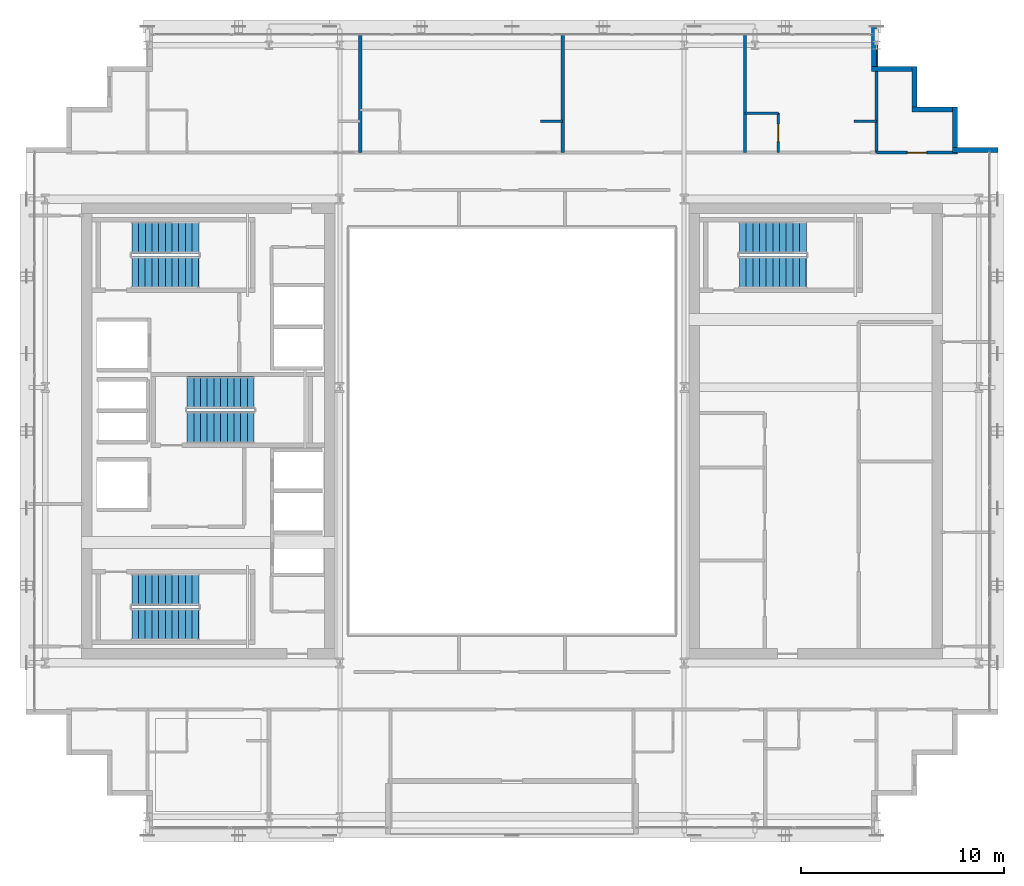
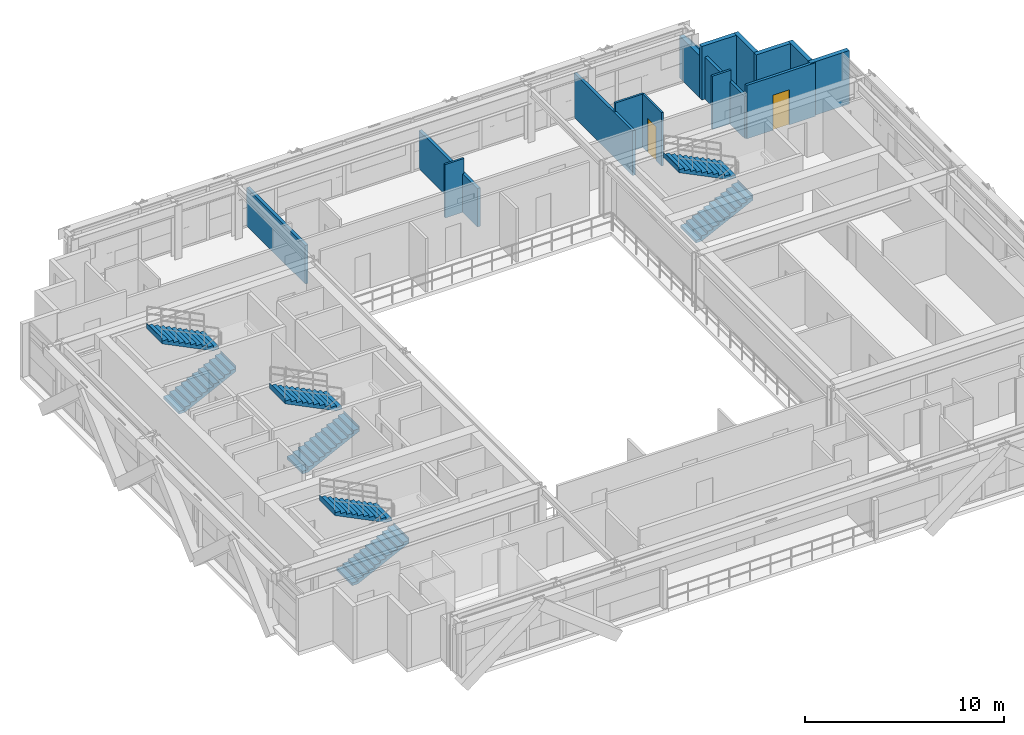
# One storey, part 28 of 32: 15 walls, 8 stair flights, 2 doors, 2 openings, 4 elements without a shape of their own.
"""IFC4 building model written with IfcOpenShell, lengths in metres."""

from ifc_helpers import new_model, si_unit, direction, frame, frame_2d, origin, place, context, subcontext, project, spatial, polyline, rectangle, outline, extrude, source, transform, mapped, material, layer, layer_set, type_object, element, fill, aggregate, save


model = new_model("IFC4")

# Units and contexts
model_context = context("Model", 3, precision=1e-05, world=origin(), true_north=direction((0.0, 1.0)))
body_context = subcontext(model_context, "Body", "Model", "MODEL_VIEW")
ifc_project = project(units=[si_unit("LENGTHUNIT", "METRE"), si_unit("AREAUNIT", "SQUARE_METRE"), si_unit("VOLUMEUNIT", "CUBIC_METRE"), si_unit("PLANEANGLEUNIT", "RADIAN"), si_unit("MASSUNIT", "GRAM", prefix="KILO")], contexts=[model_context])

# Site, building, storey
site_placement = place(None, origin())
site = spatial("IfcSite", under=ifc_project, at=site_placement, CompositionType="ELEMENT")
building_placement = place(site_placement, origin())
building = spatial("IfcBuilding", under=site, at=building_placement, Name="Ocotamira Hotel", CompositionType="ELEMENT")
storey_placement = place(building_placement, frame((0.0, 0.0, 217.199951171875)))
storey = spatial("IfcBuildingStorey", under=building, at=storey_placement, Name="L55", CompositionType="ELEMENT", Elevation=217.199951171875)

# Walls
ifc_material_1 = material(Name="Precast concrete C45/55", Category="concrete")
ifc_layer_1 = layer(ifc_material_1, 0.25)
ifc_layer_set_1 = layer_set([ifc_layer_1], Name="Precast concrete C45/55")
wall_type_1 = type_object("IfcWallType", Name="WL-EXT-SER-250", PredefinedType="SOLIDWALL", material=ifc_layer_set_1)
wall_1_placement = place(storey_placement, frame((56.0, 39.875, 0.0), z_axis=(0.0, 0.0, 1.0), x_axis=(-1.0, 0.0, 0.0)))
element("IfcWall", 1, at=wall_1_placement, inside=storey, type_object=wall_type_1, Name="L55 Serrated Corner Wall 07", PredefinedType="SOLIDWALL", context=body_context, shape_type="SweptSolid", body=[
    extrude(rectangle(XDim=2.25, YDim=0.25, at=frame_2d((1.125, 0.0))), origin(), (0.0, 0.0, 1.0), 3.280029296875),
])
for number, where, z_axis, x_axis, name in (
    (2, (53.875, 40.0, 0.0), (0.0, 0.0, 1.0), (0.0, 1.0, 0.0), "L55 Serrated Corner Wall 08"),
    (3, (53.75, 41.875, 0.0), (0.0, 0.0, 1.0), (-1.0, 0.0, 0.0), "L55 Serrated Corner Wall 09"),
    (4, (51.875, 42.0, 0.0), (0.0, 0.0, 1.0), (0.0, 1.0, 0.0), "L55 Serrated Corner Wall 10"),
    (5, (51.75, 43.875, 0.0), (0.0, 0.0, 1.0), (-1.0, 0.0, 0.0), "L55 Serrated Corner Wall 11"),
):
    element("IfcWall", number, at=place(storey_placement, frame(where, z_axis=z_axis, x_axis=x_axis)), inside=storey, type_object=wall_type_1, Name=name, PredefinedType="SOLIDWALL", context=body_context, shape_type="SweptSolid", body=[
        extrude(rectangle(XDim=2.0, YDim=0.25, at=frame_2d((1.0, 0.0))), origin(), (0.0, 0.0, 1.0), 3.280029296875),
    ])
wall_2_placement = place(storey_placement, frame((49.875, 44.0, 0.0), z_axis=(0.0, 0.0, 1.0), x_axis=(0.0, 1.0, 0.0)))
element("IfcWall", 6, at=wall_2_placement, inside=storey, type_object=wall_type_1, Name="L55 Serrated Corner Wall 12", PredefinedType="SOLIDWALL", context=body_context, shape_type="SweptSolid", body=[
    extrude(rectangle(XDim=2.0, YDim=0.25, at=frame_2d((1.0, 0.0))), origin(), (0.0, 0.0, 1.0), 2.587158203125),
])

# Wall, opening, door
ifc_material_2 = material(Name="Acoustic double-layer fire gypsum board partition", Category="gypsum")
ifc_layer_2 = layer(ifc_material_2, 0.159912109375)
ifc_layer_set_2 = layer_set([ifc_layer_2], Name="Acoustic double-layer fire gypsum board partition")
wall_type_2 = type_object("IfcWallType", Name="WL-FIRE-160", PredefinedType="PARTITIONING", material=ifc_layer_set_2)
wall_3_placement = place(storey_placement, frame((50.0, 39.75, 0.0), z_axis=(0.0, 0.0, 1.0), x_axis=(1.0, 0.0, 0.0)))
wall_3 = element("IfcWall", 7, at=wall_3_placement, inside=storey, type_object=wall_type_2, Name="L55 Interior Wall PW-L55-Z3F-CNE-CW", PredefinedType="PARTITIONING", context=body_context, shape_type="SweptSolid", body=[
    extrude(rectangle(XDim=4.0, YDim=0.159912109375, at=frame_2d((2.0, 0.0))), origin(), (0.0, 0.0, 1.0), 3.280029296875),
])
opening_1_placement = place(wall_3_placement, frame((1.52001953125, 0.0, 0.0)))
opening_1 = element("IfcOpeningElement", 8, at=opening_1_placement, cuts=wall_3, Name="Opening D-SV4", PredefinedType="OPENING", context=body_context, shape_type="SweptSolid", body=[
    extrude(rectangle(XDim=0.9599609375, YDim=2.14990234375, at=frame_2d((0.47998046875, 1.074951171875))), frame((0.0, 0.08984375, 0.0), z_axis=(0.0, -1.0, 0.0), x_axis=(1.0, 0.0, 0.0)), (0.0, 0.0, 1.0), 0.179931640625),
])
ifc_material_3 = material(Name="Fire-rated accessible walnut salon door", Category="wood")
door_type_1 = type_object("IfcDoorType", Name="DR-SERV-960", OperationType="NOTDEFINED", PredefinedType="DOOR", material=ifc_material_3)
shared_shape_1 = source(origin(), body_context, "Body", "SweptSolid", [
    extrude(rectangle(XDim=0.9599609375, YDim=2.14990234375, at=frame_2d((0.47998046875, 1.074951171875))), frame((0.0, 0.02490234375, 0.0), z_axis=(0.0, -1.0, 0.0), x_axis=(1.0, 0.0, 0.0)), (0.0, 0.0, 1.0), 0.050048828125),
])
door_1_placement = place(opening_1_placement, origin())
door_1 = element("IfcDoor", 9, at=door_1_placement, inside=storey, type_object=door_type_1, Name="L55 Door ID-L55-Z3F-CNE-CD [ID-L55-Z3F-CNE-CD]", OperationType="SINGLE_SWING_LEFT", OverallHeight=2.14990234375, OverallWidth=0.9599609375, PredefinedType="DOOR", context=body_context, shape_type="MappedRepresentation", body=[
    mapped(shared_shape_1, transform((0.0, 0.0, 0.0), scale=1.0)),
])
fill(opening_1, door_1)

# Wall
ifc_material_4 = material(Name="Moisture-resistant en-suite tile and gypsum partition", Category="gypsum")
ifc_layer_3 = layer(ifc_material_4, 0.1201171875)
ifc_layer_set_3 = layer_set([ifc_layer_3], Name="Moisture-resistant en-suite tile and gypsum partition")
wall_type_3 = type_object("IfcWallType", Name="WL-PART-120", PredefinedType="PARTITIONING", material=ifc_layer_set_3)
wall_4_placement = place(storey_placement, frame((33.39990234375, 41.300048828125, 0.0), z_axis=(0.0, 0.0, 1.0), x_axis=(1.0, 0.0, 0.0)))
element("IfcWall", 10, at=wall_4_placement, inside=storey, type_object=wall_type_3, Name="L55 Interior Wall PW-L55-Z3FN-DRN2", PredefinedType="PARTITIONING", context=body_context, shape_type="SweptSolid", body=[
    extrude(rectangle(XDim=1.10009765625, YDim=0.1201171875, at=frame_2d((0.550048828125, 0.0))), origin(), (0.0, 0.0, 1.0), 3.280029296875),
])

# Wall, opening, door
wall_5_placement = place(storey_placement, frame((45.14990234375, 39.75, 0.0), z_axis=(0.0, 0.0, 1.0), x_axis=(0.0, 1.0, 0.0)))
wall_5 = element("IfcWall", 11, at=wall_5_placement, inside=storey, type_object=wall_type_3, Name="L55 Interior Wall PW-L55-Z3FN-BAE4", PredefinedType="PARTITIONING", context=body_context, shape_type="SweptSolid", body=[
    extrude(rectangle(XDim=1.949951171875, YDim=0.1201171875, at=frame_2d((0.97509765625, 0.0))), origin(), (0.0, 0.0, 1.0), 3.280029296875),
])
opening_2_placement = place(wall_5_placement, frame((0.544921875, 0.0, 0.0)))
opening_2 = element("IfcOpeningElement", 12, at=opening_2_placement, cuts=wall_5, Name="Opening D-BA1", PredefinedType="OPENING", context=body_context, shape_type="SweptSolid", body=[
    extrude(rectangle(XDim=0.860107421875, YDim=2.10009765625, at=frame_2d((0.43017578125, 1.050048828125))), frame((0.0, 0.070068359375, 0.0), z_axis=(0.0, -1.0, 0.0), x_axis=(1.0, 0.0, 0.0)), (0.0, 0.0, 1.0), 0.14013671875),
])
ifc_material_5 = material(Name="Moisture-sealed en-suite timber door", Category="wood")
door_type_2 = type_object("IfcDoorType", Name="DR-BATH-860", OperationType="NOTDEFINED", PredefinedType="DOOR", material=ifc_material_5)
shared_shape_2 = source(origin(), body_context, "Body", "SweptSolid", [
    extrude(rectangle(XDim=0.860107421875, YDim=2.10009765625, at=frame_2d((0.43017578125, 1.050048828125))), frame((0.0, 0.02490234375, 0.0), z_axis=(0.0, -1.0, 0.0), x_axis=(1.0, 0.0, 0.0)), (0.0, 0.0, 1.0), 0.050048828125),
])
door_2_placement = place(opening_2_placement, origin())
door_2 = element("IfcDoor", 13, at=door_2_placement, inside=storey, type_object=door_type_2, Name="L55 Door ID-L55-Z3FN-BAD4 [ID-L55-Z3FN-BAD4]", OperationType="SINGLE_SWING_LEFT", OverallHeight=2.10009765625, OverallWidth=0.860107421875, PredefinedType="DOOR", context=body_context, shape_type="MappedRepresentation", body=[
    mapped(shared_shape_2, transform((0.0, 0.0, 0.0), scale=1.0)),
])
fill(opening_2, door_2)

# Walls
wall_6_placement = place(storey_placement, frame((43.5, 41.699951171875, 0.0), z_axis=(0.0, 0.0, 1.0), x_axis=(1.0, 0.0, 0.0)))
element("IfcWall", 14, at=wall_6_placement, inside=storey, type_object=wall_type_3, Name="L55 Interior Wall PW-L55-Z3FN-BAN4", PredefinedType="PARTITIONING", context=body_context, shape_type="SweptSolid", body=[
    extrude(rectangle(XDim=1.64990234375, YDim=0.1201171875, at=frame_2d((0.824951171875, 0.0))), origin(), (0.0, 0.0, 1.0), 3.280029296875),
])
wall_7_placement = place(storey_placement, frame((48.89990234375, 41.300048828125, 0.0), z_axis=(0.0, 0.0, 1.0), x_axis=(1.0, 0.0, 0.0)))
element("IfcWall", 15, at=wall_7_placement, inside=storey, type_object=wall_type_3, Name="L55 Interior Wall PW-L55-Z3FN-DRN4", PredefinedType="PARTITIONING", context=body_context, shape_type="SweptSolid", body=[
    extrude(rectangle(XDim=1.10009765625, YDim=0.1201171875, at=frame_2d((0.550048828125, 0.0))), origin(), (0.0, 0.0, 1.0), 3.280029296875),
])
ifc_material_6 = material(Name="Acoustic double-stud hospitality gypsum partition", Category="gypsum")
ifc_layer_4 = layer(ifc_material_6, 0.159912109375)
ifc_layer_set_4 = layer_set([ifc_layer_4], Name="Acoustic double-stud hospitality gypsum partition")
wall_type_4 = type_object("IfcWallType", Name="WL-PART-160", PredefinedType="PARTITIONING", material=ifc_layer_set_4)
wall_8_placement = place(storey_placement, frame((50.0, 39.75, 0.0), z_axis=(0.0, 0.0, 1.0), x_axis=(0.0, 1.0, 0.0)))
element("IfcWall", 16, at=wall_8_placement, inside=storey, type_object=wall_type_4, Name="L55 Interior Wall PW-L55-Z3FN-PWEND", PredefinedType="PARTITIONING", context=body_context, shape_type="SweptSolid", body=[
    extrude(rectangle(XDim=5.889892578125, YDim=0.159912109375, at=frame_2d((2.94482421875, 0.0))), origin(), (0.0, 0.0, 1.0), 2.587158203125),
])
wall_9_placement = place(storey_placement, frame((43.5, 39.75, 0.0), z_axis=(0.0, 0.0, 1.0), x_axis=(0.0, 1.0, 0.0)))
element("IfcWall", 17, at=wall_9_placement, inside=storey, type_object=wall_type_4, Name="L55 Interior Wall PW-L55-Z3FN-PW3", PredefinedType="PARTITIONING", context=body_context, shape_type="SweptSolid", body=[
    extrude(rectangle(XDim=5.889892578125, YDim=0.159912109375, at=frame_2d((2.94482421875, 0.0))), origin(), (0.0, 0.0, 1.0), 2.7431640625),
])
ifc_material_7 = material(Name="Double-stud suite party gypsum partition", Category="gypsum")
ifc_layer_5 = layer(ifc_material_7, 0.175048828125)
ifc_layer_set_5 = layer_set([ifc_layer_5], Name="Double-stud suite party gypsum partition")
wall_type_5 = type_object("IfcWallType", Name="WL-PART-175", PredefinedType="PARTITIONING", material=ifc_layer_set_5)
for number, where, z_axis, x_axis, name in (
    (18, (24.5, 39.75, 0.0), (0.0, 0.0, 1.0), (0.0, 1.0, 0.0), "L55 Interior Wall PW-L55-Z3FN-PW1"),
    (19, (34.5, 39.75, 0.0), (0.0, 0.0, 1.0), (0.0, 1.0, 0.0), "L55 Interior Wall PW-L55-Z3FN-PW2"),
):
    element("IfcWall", number, at=place(storey_placement, frame(where, z_axis=z_axis, x_axis=x_axis)), inside=storey, type_object=wall_type_5, Name=name, PredefinedType="PARTITIONING", context=body_context, shape_type="SweptSolid", body=[
        extrude(rectangle(XDim=5.889892578125, YDim=0.175048828125, at=frame_2d((2.94482421875, 0.0))), origin(), (0.0, 0.0, 1.0), 2.360107421875),
    ])

# Stair, stair flights
ifc_material_8 = material(Name="Concrete C40/50", Category="concrete")
stair_type = type_object("IfcStairType", Name="ST-CORE-1560", PredefinedType="HALF_TURN_STAIR", material=ifc_material_8)
stair_1_placement = place(storey_placement, origin())
stair_1 = element("IfcStair", 20, at=stair_1_placement, inside=storey, type_object=stair_type, Name="L55 Exit Stair ST-1", PredefinedType="HALF_TURN_STAIR")
stair_flight_type = type_object("IfcStairFlightType", Name="STF-CORE-1560", PredefinedType="STRAIGHT", material=ifc_material_8)
shared_shape_3 = source(origin(), body_context, "Body", "SweptSolid", [
    extrude(outline(polyline([(-0.00390625, 0.0), (-0.00390625, 0.16357421875), (0.330078125, 0.16357421875), (0.330078125, 0.327392578125), (0.659912109375, 0.327392578125), (0.659912109375, 0.490966796875), (0.989990234375, 0.490966796875), (0.989990234375, 0.654541015625), (1.320068359375, 0.654541015625), (1.320068359375, 0.818115234375), (1.64990234375, 0.818115234375), (1.64990234375, 0.98193359375), (1.97998046875, 0.98193359375), (1.97998046875, 1.1455078125), (2.31005859375, 1.1455078125), (2.31005859375, 1.30908203125), (2.639892578125, 1.30908203125), (2.639892578125, 1.47265625), (2.969970703125, 1.47265625), (2.969970703125, 1.636474609375), (3.300048828125, 1.636474609375), (3.300048828125, 1.800048828125), (3.303955078125, 1.800048828125), (3.303955078125, 1.468994140625), (0.33740234375, 0.0), (-0.00390625, 0.0)])), frame((0.0, 0.780029296875, 0.0), z_axis=(0.0, -1.0, 0.0), x_axis=(1.0, 0.0, 0.0)), (0.0, 0.0, 1.0), 1.56005859375),
])
stair_flight_1_placement = place(storey_placement, frame((13.22998046875, 16.449951171875, 0.0), z_axis=(0.0, 0.0, 1.0), x_axis=(1.0, 0.0, 0.0)))
stair_flight_1 = element("IfcStairFlight", 21, at=stair_flight_1_placement, type_object=stair_flight_type, Name="ST-1 flight 1", NumberOfRisers=11, NumberOfTreads=10, PredefinedType="STRAIGHT", RiserHeight=0.163636364, TreadLength=0.33, context=body_context, shape_type="MappedRepresentation", body=[
    mapped(shared_shape_3, transform((0.0, 0.0, 0.0), scale=1.0)),
])
stair_flight_2_placement = place(storey_placement, frame((16.530029296875, 18.169921875, 1.800048828125), z_axis=(0.0, 0.0, 1.0), x_axis=(-1.0, 0.0, 0.0)))
stair_flight_2 = element("IfcStairFlight", 22, at=stair_flight_2_placement, type_object=stair_flight_type, Name="ST-1 flight 2", NumberOfRisers=11, NumberOfTreads=10, PredefinedType="STRAIGHT", RiserHeight=0.163636364, TreadLength=0.33, context=body_context, shape_type="MappedRepresentation", body=[
    mapped(shared_shape_3, transform((0.0, 0.0, 0.0), scale=1.0)),
])
aggregate(stair_1, [stair_flight_1, stair_flight_2])

stair_2_placement = place(storey_placement, origin())
stair_2 = element("IfcStair", 23, at=stair_2_placement, inside=storey, type_object=stair_type, Name="L55 Exit Stair ST-2", PredefinedType="HALF_TURN_STAIR")
stair_flight_3_placement = place(storey_placement, frame((13.22998046875, 33.830078125, 0.0), z_axis=(0.0, 0.0, 1.0), x_axis=(1.0, 0.0, 0.0)))
stair_flight_3 = element("IfcStairFlight", 24, at=stair_flight_3_placement, type_object=stair_flight_type, Name="ST-2 flight 1", NumberOfRisers=11, NumberOfTreads=10, PredefinedType="STRAIGHT", RiserHeight=0.163636364, TreadLength=0.33, context=body_context, shape_type="MappedRepresentation", body=[
    mapped(shared_shape_3, transform((0.0, 0.0, 0.0), scale=1.0)),
])
stair_flight_4_placement = place(storey_placement, frame((16.530029296875, 35.550048828125, 1.800048828125), z_axis=(0.0, 0.0, 1.0), x_axis=(-1.0, 0.0, 0.0)))
stair_flight_4 = element("IfcStairFlight", 25, at=stair_flight_4_placement, type_object=stair_flight_type, Name="ST-2 flight 2", NumberOfRisers=11, NumberOfTreads=10, PredefinedType="STRAIGHT", RiserHeight=0.163636364, TreadLength=0.33, context=body_context, shape_type="MappedRepresentation", body=[
    mapped(shared_shape_3, transform((0.0, 0.0, 0.0), scale=1.0)),
])
aggregate(stair_2, [stair_flight_3, stair_flight_4])

stair_3_placement = place(storey_placement, origin())
stair_3 = element("IfcStair", 26, at=stair_3_placement, inside=storey, type_object=stair_type, Name="L55 Exit Stair ST-3", PredefinedType="HALF_TURN_STAIR")
stair_flight_5_placement = place(storey_placement, frame((15.9599609375, 26.179931640625, 0.0), z_axis=(0.0, 0.0, 1.0), x_axis=(1.0, 0.0, 0.0)))
stair_flight_5 = element("IfcStairFlight", 27, at=stair_flight_5_placement, type_object=stair_flight_type, Name="ST-3 flight 1", NumberOfRisers=11, NumberOfTreads=10, PredefinedType="STRAIGHT", RiserHeight=0.163636364, TreadLength=0.33, context=body_context, shape_type="MappedRepresentation", body=[
    mapped(shared_shape_3, transform((0.0, 0.0, 0.0), scale=1.0)),
])
stair_flight_6_placement = place(storey_placement, frame((19.260009765625, 27.89990234375, 1.800048828125), z_axis=(0.0, 0.0, 1.0), x_axis=(-1.0, 0.0, 0.0)))
stair_flight_6 = element("IfcStairFlight", 28, at=stair_flight_6_placement, type_object=stair_flight_type, Name="ST-3 flight 2", NumberOfRisers=11, NumberOfTreads=10, PredefinedType="STRAIGHT", RiserHeight=0.163636364, TreadLength=0.33, context=body_context, shape_type="MappedRepresentation", body=[
    mapped(shared_shape_3, transform((0.0, 0.0, 0.0), scale=1.0)),
])
aggregate(stair_3, [stair_flight_5, stair_flight_6])

stair_4_placement = place(storey_placement, origin())
stair_4 = element("IfcStair", 29, at=stair_4_placement, inside=storey, type_object=stair_type, Name="L55 Exit Stair ST-4", PredefinedType="HALF_TURN_STAIR")
stair_flight_7_placement = place(storey_placement, frame((43.22998046875, 33.830078125, 0.0), z_axis=(0.0, 0.0, 1.0), x_axis=(1.0, 0.0, 0.0)))
stair_flight_7 = element("IfcStairFlight", 30, at=stair_flight_7_placement, type_object=stair_flight_type, Name="ST-4 flight 1", NumberOfRisers=11, NumberOfTreads=10, PredefinedType="STRAIGHT", RiserHeight=0.163636364, TreadLength=0.33, context=body_context, shape_type="MappedRepresentation", body=[
    mapped(shared_shape_3, transform((0.0, 0.0, 0.0), scale=1.0)),
])
stair_flight_8_placement = place(storey_placement, frame((46.530029296875, 35.550048828125, 1.800048828125), z_axis=(0.0, 0.0, 1.0), x_axis=(-1.0, 0.0, 0.0)))
stair_flight_8 = element("IfcStairFlight", 31, at=stair_flight_8_placement, type_object=stair_flight_type, Name="ST-4 flight 2", NumberOfRisers=11, NumberOfTreads=10, PredefinedType="STRAIGHT", RiserHeight=0.163636364, TreadLength=0.33, context=body_context, shape_type="MappedRepresentation", body=[
    mapped(shared_shape_3, transform((0.0, 0.0, 0.0), scale=1.0)),
])
aggregate(stair_4, [stair_flight_7, stair_flight_8])

save(model, "model.ifc")
